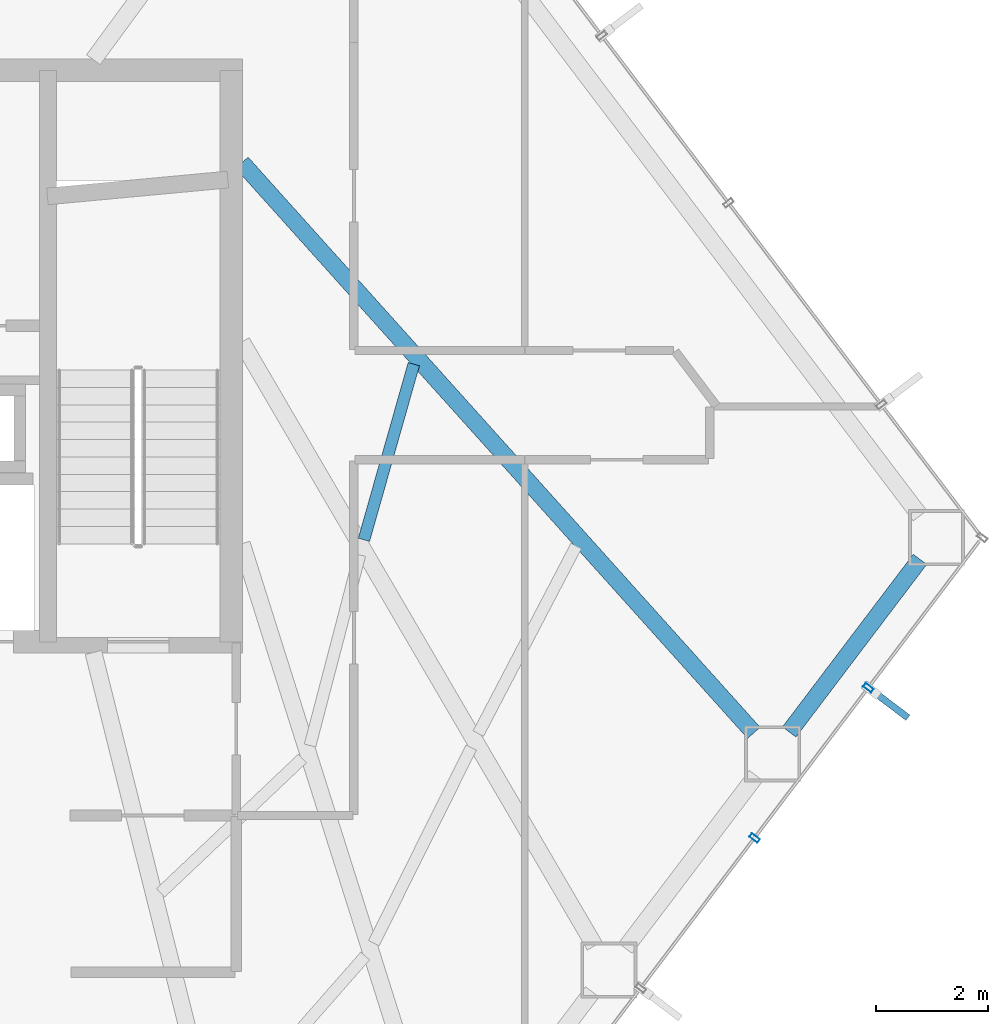
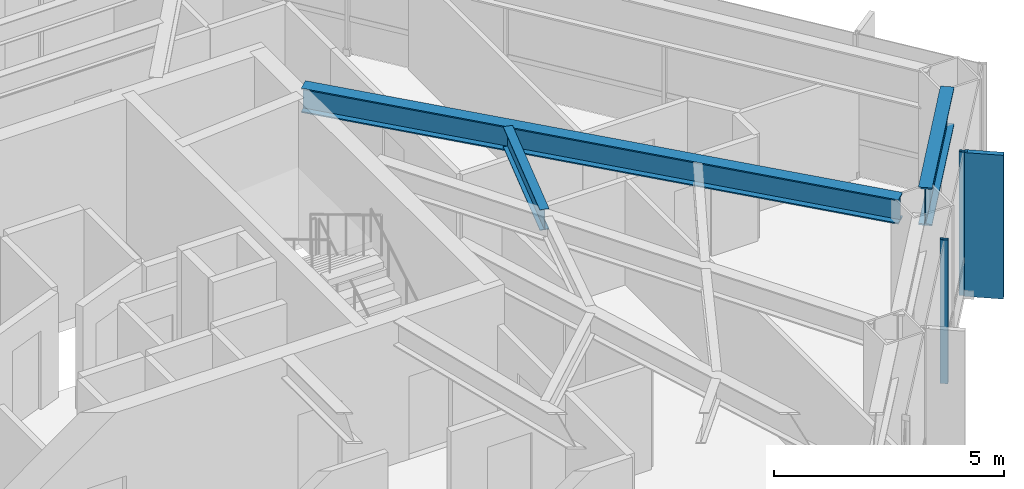
# One storey, part 18 of 25: 3 beams, 3 members, 1 element without a shape of its own.
"""IFC4 building model written with IfcOpenShell, lengths in metres."""

from ifc_helpers import new_model, si_unit, direction, frame, origin, origin_2d, place, context, subcontext, project, spatial, rectangle, hollow_rectangle, i_section, extrude, material, layer, layer_set, material_profile, profile_set, type_object, element, aggregate, save


model = new_model("IFC4")

# Units and contexts
model_context = context("Model", 3, precision=1e-05, world=origin(), true_north=direction((0.0, 1.0)))
body_context = subcontext(model_context, "Body", "Model", "MODEL_VIEW")
ifc_project = project(units=[si_unit("LENGTHUNIT", "METRE"), si_unit("AREAUNIT", "SQUARE_METRE"), si_unit("VOLUMEUNIT", "CUBIC_METRE"), si_unit("PLANEANGLEUNIT", "RADIAN"), si_unit("MASSUNIT", "GRAM", prefix="KILO")], contexts=[model_context])

# Site, building, storey
site_placement = place(None, origin())
site = spatial("IfcSite", under=ifc_project, at=site_placement, CompositionType="ELEMENT")
building_placement = place(site_placement, origin())
building = spatial("IfcBuilding", under=site, at=building_placement, Name="Zarrinselat Tower", CompositionType="ELEMENT")
storey_placement = place(building_placement, frame((0.0, 0.0, 43.860107421875)))
storey = spatial("IfcBuildingStorey", under=building, at=storey_placement, Name="L10", CompositionType="ELEMENT", Elevation=43.860107421875)

# Beams
ifc_material_1 = material(Name="Steel S355J2", Category="steel")
ifc_material_profile_1 = material_profile(ifc_material_1, i_section(OverallWidth=0.300048828125, OverallDepth=0.64990234375, WebThickness=0.01611328125, FlangeThickness=0.031005859375, at=origin_2d()), Name="HEB 650")
ifc_profile_set_1 = profile_set([ifc_material_profile_1], Name="Steel S355J2")
beam_type_1 = type_object("IfcBeamType", Name="BM-HEB650", PredefinedType="BEAM", material=ifc_profile_set_1)
beam_1_placement = place(storey_placement, frame((48.449951171875, 41.800048828125, 3.494873046875), z_axis=(0.668172366334, -0.744006511307, 0.0), x_axis=(0.744006511307, 0.668172366334, 0.0)))
element("IfcBeam", 1, at=beam_1_placement, inside=storey, type_object=beam_type_1, Name="L10 Radial Primary Girder RG14", PredefinedType="BEAM", context=body_context, shape_type="SweptSolid", body=[
    extrude(i_section(OverallWidth=0.300048828125, OverallDepth=0.64990234375, WebThickness=0.01611328125, FlangeThickness=0.031005859375, at=origin_2d()), origin(), (0.0, 0.0, 1.0), 13.676025390625),
])
ifc_material_2 = material(Name="Steel S460M", Category="steel")
ifc_material_profile_2 = material_profile(ifc_material_2, i_section(OverallWidth=0.302001953125, OverallDepth=1.008056640625, WebThickness=0.02099609375, FlangeThickness=0.0400390625, at=origin_2d()), Name="HEM 1000")
ifc_profile_set_2 = profile_set([ifc_material_profile_2], Name="Steel S460M")
beam_type_2 = type_object("IfcBeamType", Name="BM-HEM1000", PredefinedType="BEAM", material=ifc_profile_set_2)
beam_2_placement = place(storey_placement, frame((58.218017578125, 31.640380859375, 3.31591796875), z_axis=(0.603852824523, 0.79709583258, 0.0), x_axis=(-0.79709583258, 0.603852824523, 0.0)))
element("IfcBeam", 2, at=beam_2_placement, inside=storey, type_object=beam_type_2, Name="L10 Perimeter Spandrel Girder SP14", PredefinedType="BEAM", context=body_context, shape_type="SweptSolid", body=[
    extrude(i_section(OverallWidth=0.302001953125, OverallDepth=1.008056640625, WebThickness=0.02099609375, FlangeThickness=0.0400390625, at=origin_2d()), origin(), (0.0, 0.0, 1.0), 3.865966796875),
])
ifc_material_3 = material(Name="Steel S355J2", Category="steel")
ifc_material_profile_3 = material_profile(ifc_material_3, i_section(OverallWidth=0.2099609375, OverallDepth=0.550048828125, WebThickness=0.010986328125, FlangeThickness=0.01708984375, at=origin_2d()), Name="IPE 550")
ifc_profile_set_3 = profile_set([ifc_material_profile_3], Name="Steel S355J2")
beam_type_3 = type_object("IfcBeamType", Name="BM-IPE550", PredefinedType="JOIST", material=ifc_profile_set_3)
beam_3_placement = place(storey_placement, frame((50.62890625, 35.0712890625, 3.544921875), z_axis=(0.27303835726, 0.962003147326, 0.0), x_axis=(-0.962003147326, 0.27303835726, 0.0)))
element("IfcBeam", 3, at=beam_3_placement, inside=storey, type_object=beam_type_3, Name="L10 Composite Floor Joist 5-2", PredefinedType="JOIST", context=body_context, shape_type="SweptSolid", body=[
    extrude(i_section(OverallWidth=0.2099609375, OverallDepth=0.550048828125, WebThickness=0.010986328125, FlangeThickness=0.01708984375, at=origin_2d()), origin(), (0.0, 0.0, 1.0), 3.25830078125),
])

# Curtain wall, members
ifc_material_4 = material(Name="Extruded Aluminium Alloy EN AW-6063 T6", Category="aluminium")
ifc_layer = layer(ifc_material_4, 0.18505859375)
ifc_layer_set = layer_set([ifc_layer], Name="Extruded Aluminium Alloy EN AW-6063 T6")
curtain_wall_type = type_object("IfcCurtainWallType", Name="CWS-OFF", PredefinedType="NOTDEFINED", material=ifc_layer_set)
curtain_wall_placement = place(storey_placement, origin())
curtain_wall = element("IfcCurtainWall", 4, at=curtain_wall_placement, inside=storey, type_object=curtain_wall_type, Name="L10 Unitised Curtain Wall CW-L10-E05", PredefinedType="NOTDEFINED")
ifc_material_5 = material(Name="Extruded Aluminium Alloy EN AW-6063 T6", Category="aluminium")
ifc_material_profile_4 = material_profile(ifc_material_5, hollow_rectangle(XDim=0.080078125, YDim=0.179931640625, WallThickness=0.0048828125, at=origin_2d()), Name="RHS 180x80x5")
ifc_profile_set_4 = profile_set([ifc_material_profile_4], Name="Extruded Aluminium Alloy EN AW-6063 T6")
member_type_1 = type_object("IfcMemberType", Name="MEM-CW-MUL", PredefinedType="MULLION", material=ifc_profile_set_4)
member_1_placement = place(storey_placement, frame((57.599853515625, 29.748291015625, 0.0), z_axis=(0.0, 0.0, 1.0), x_axis=(0.603859118859, 0.797091064164, 0.0)))
member_1 = element("IfcMember", 5, at=member_1_placement, type_object=member_type_1, Name="CW-L10-E05 Mullion 4", PredefinedType="MULLION", context=body_context, shape_type="SweptSolid", body=[
    extrude(hollow_rectangle(XDim=0.080078125, YDim=0.179931640625, WallThickness=0.0048828125, at=origin_2d()), origin(), (0.0, 0.0, 1.0), 3.81982421875),
])
member_2_placement = place(storey_placement, frame((59.63134765625, 32.4296875, 0.0), z_axis=(0.0, 0.0, 1.0), x_axis=(0.603859118859, 0.797091064164, 0.0)))
member_2 = element("IfcMember", 6, at=member_2_placement, type_object=member_type_1, Name="CW-L10-E05 Mullion 5", PredefinedType="MULLION", context=body_context, shape_type="SweptSolid", body=[
    extrude(hollow_rectangle(XDim=0.080078125, YDim=0.179931640625, WallThickness=0.0048828125, at=origin_2d()), origin(), (0.0, 0.0, 1.0), 3.81982421875),
])
ifc_material_6 = material(Name="Honed Cream Travertine Stone", Category="masonry")
ifc_material_profile_5 = material_profile(ifc_material_6, rectangle(XDim=0.1201171875, YDim=0.85009765625, at=origin_2d()), Name="FIN 850x120")
ifc_profile_set_5 = profile_set([ifc_material_profile_5], Name="Honed Cream Travertine Stone")
member_type_2 = type_object("IfcMemberType", Name="MEM-STONE-FIN", PredefinedType="USERDEFINED", material=ifc_profile_set_5)
member_3_placement = place(storey_placement, frame((59.998046875, 32.15185546875, 0.0), z_axis=(0.0, 0.0, 1.0), x_axis=(-0.603859118859, -0.797091064164, 0.0)))
member_3 = element("IfcMember", 7, at=member_3_placement, type_object=member_type_2, Name="L10 Stone Shading Fin CW-L10-E05-05", ObjectType="FIN", PredefinedType="USERDEFINED", context=body_context, shape_type="SweptSolid", body=[
    extrude(rectangle(XDim=0.1201171875, YDim=0.85009765625, at=origin_2d()), origin(), (0.0, 0.0, 1.0), 3.81982421875),
])
aggregate(curtain_wall, [member_1, member_2, member_3])

save(model, "model.ifc")
